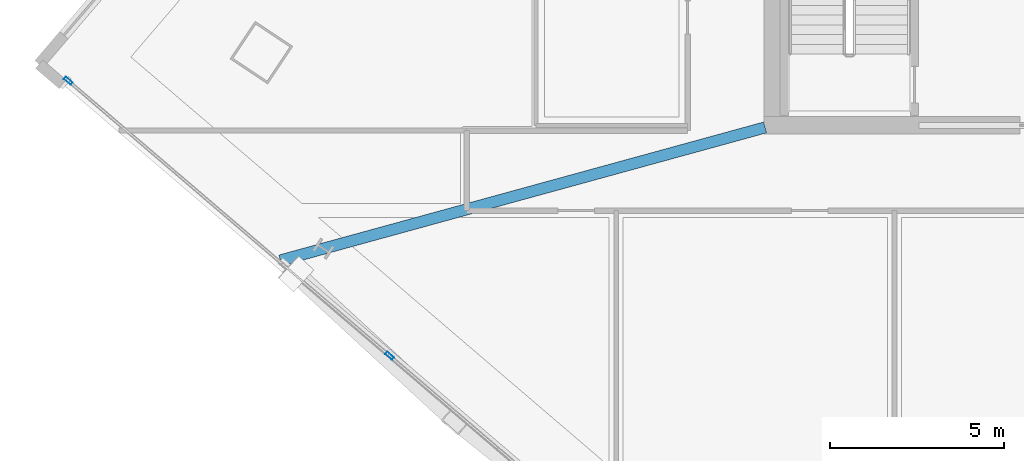
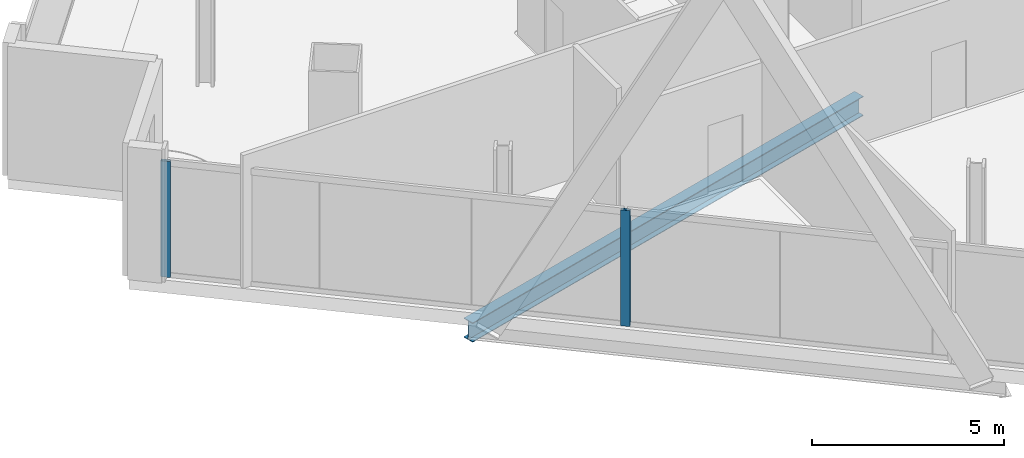
# One storey, part 4 of 26: 2 members, 1 beam, 1 element without a shape of its own.
"""IFC4 building model written with IfcOpenShell, lengths in metres."""

from ifc_helpers import new_model, si_unit, direction, frame, origin, origin_2d, place, context, subcontext, project, spatial, hollow_rectangle, i_section, extrude, material, material_profile, profile_set, type_object, element, aggregate, save


model = new_model("IFC4")

# Units and contexts
model_context = context("Model", 3, precision=1e-05, world=origin(), true_north=direction((0.0, 1.0)))
body_context = subcontext(model_context, "Body", "Model", "MODEL_VIEW")
ifc_project = project(units=[si_unit("LENGTHUNIT", "METRE"), si_unit("AREAUNIT", "SQUARE_METRE"), si_unit("VOLUMEUNIT", "CUBIC_METRE"), si_unit("PLANEANGLEUNIT", "RADIAN"), si_unit("MASSUNIT", "GRAM", prefix="KILO")], contexts=[model_context])

# Site, building, storey
site_placement = place(None, origin())
site = spatial("IfcSite", under=ifc_project, at=site_placement, CompositionType="ELEMENT")
building_placement = place(site_placement, origin())
building = spatial("IfcBuilding", under=site, at=building_placement, Name="Haldenkirk Collegiate Tower", CompositionType="ELEMENT")
storey_placement = place(building_placement, frame((0.0, 0.0, 193.949951171875)))
storey = spatial("IfcBuildingStorey", under=building, at=storey_placement, Name="L48", CompositionType="ELEMENT", Elevation=193.949951171875)

# Beam
ifc_material_1 = material(Name="Steel ASTM A992 Grade 50", Category="steel")
ifc_material_profile_1 = material_profile(ifc_material_1, i_section(OverallWidth=0.324951171875, OverallDepth=0.615966796875, WebThickness=0.013916015625, FlangeThickness=0.021484375, at=origin_2d()), Name="W24X117")
ifc_profile_set_1 = profile_set([ifc_material_profile_1], Name="Steel ASTM A992 Grade 50")
beam_type = type_object("IfcBeamType", Name="BM-GIRDER-W24X117", PredefinedType="BEAM", material=ifc_profile_set_1)
beam_placement = place(storey_placement, frame((12.8486328125, 14.1171875, -0.718017578125), z_axis=(0.96435820441, 0.264600176845, 0.0), x_axis=(-0.264600176845, 0.96435820441, 0.0)))
element("IfcBeam", 1, at=beam_placement, inside=storey, type_object=beam_type, Name="L48 primary floor girder 14", PredefinedType="BEAM", context=body_context, shape_type="SweptSolid", body=[
    extrude(i_section(OverallWidth=0.324951171875, OverallDepth=0.615966796875, WebThickness=0.013916015625, FlangeThickness=0.021484375, at=origin_2d()), origin(), (0.0, 0.0, 1.0), 14.444580078125),
])

# Curtain wall, members
ifc_material_2 = material(Name="Anodised architectural bronze aluminium", Category="aluminium")
curtain_wall_type = type_object("IfcCurtainWallType", Name="CW-SYS4-SKYGARDEN", PredefinedType="USERDEFINED", material=ifc_material_2)
curtain_wall_placement = place(storey_placement, origin())
curtain_wall = element("IfcCurtainWall", 2, at=curtain_wall_placement, inside=storey, type_object=curtain_wall_type, Name="L48 Sky-garden tall bronze curtain wall", ObjectType="UNITISED CURTAIN WALL", PredefinedType="USERDEFINED")
ifc_material_profile_2 = material_profile(ifc_material_2, hollow_rectangle(XDim=0.090087890625, YDim=0.260009765625, WallThickness=0.0048828125, at=origin_2d()), Name="CW-MUL-04")
ifc_profile_set_2 = profile_set([ifc_material_profile_2], Name="Anodised architectural bronze aluminium")
member_type = type_object("IfcMemberType", Name="CW-MUL-04", PredefinedType="MULLION", material=ifc_profile_set_2)
member_1_placement = place(storey_placement, frame((15.98828125, 11.37841796875, 0.0), z_axis=(0.0, 0.0, 1.0), x_axis=(-0.650113163613, -0.759837400038, 0.0)))
member_1 = element("IfcMember", 3, at=member_1_placement, type_object=member_type, Name="CW-04 mullion 3", PredefinedType="MULLION", context=body_context, shape_type="SweptSolid", body=[
    extrude(hollow_rectangle(XDim=0.090087890625, YDim=0.260009765625, WallThickness=0.0048828125, at=origin_2d()), origin(), (0.0, 0.0, 1.0), 3.677978515625),
])
member_2_placement = place(storey_placement, frame((6.75244140625, 19.280517578125, 0.0), z_axis=(0.0, 0.0, 1.0), x_axis=(-0.650113163613, -0.759837400038, 0.0)))
member_2 = element("IfcMember", 4, at=member_2_placement, type_object=member_type, Name="CW-04 mullion 4", PredefinedType="MULLION", context=body_context, shape_type="SweptSolid", body=[
    extrude(hollow_rectangle(XDim=0.090087890625, YDim=0.260009765625, WallThickness=0.0048828125, at=origin_2d()), origin(), (0.0, 0.0, 1.0), 3.677978515625),
])
aggregate(curtain_wall, [member_1, member_2])

save(model, "model.ifc")
